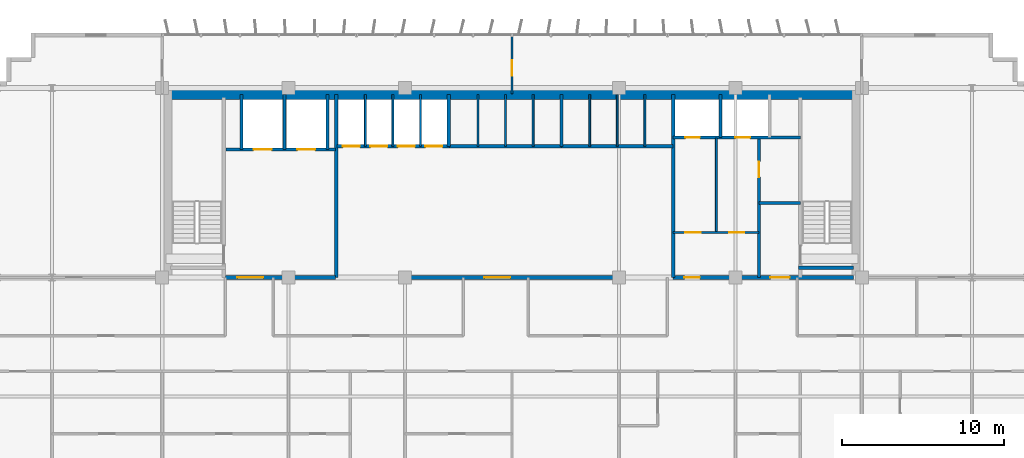
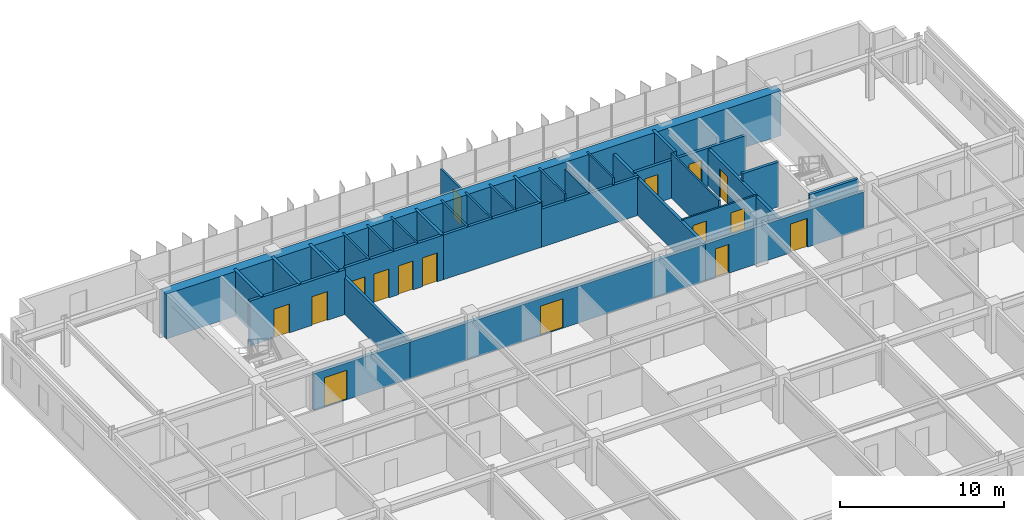
# One storey, part 17 of 21: 32 walls, 16 doors, 16 openings.
"""IFC4 building model written with IfcOpenShell, lengths in metres."""

from ifc_helpers import new_model, si_unit, direction, frame, frame_2d, origin, place, context, subcontext, project, spatial, rectangle, extrude, source, transform, mapped, material, layer, layer_set, type_object, element, fill, save


model = new_model("IFC4")

# Units and contexts
model_context = context("Model", 3, precision=1e-05, world=origin(), true_north=direction((0.0, 1.0)))
body_context = subcontext(model_context, "Body", "Model", "MODEL_VIEW")
ifc_project = project(units=[si_unit("LENGTHUNIT", "METRE"), si_unit("AREAUNIT", "SQUARE_METRE"), si_unit("VOLUMEUNIT", "CUBIC_METRE"), si_unit("PLANEANGLEUNIT", "RADIAN"), si_unit("MASSUNIT", "GRAM", prefix="KILO")], contexts=[model_context])

# Site, building, storey
site_placement = place(None, origin())
site = spatial("IfcSite", under=ifc_project, at=site_placement, CompositionType="ELEMENT")
building_placement = place(site_placement, origin())
building = spatial("IfcBuilding", under=site, at=building_placement, Name="Trelvane Seafront Commons", CompositionType="ELEMENT")
storey_placement = place(building_placement, frame((0.0, 0.0, 110.5)))
storey = spatial("IfcBuildingStorey", under=building, at=storey_placement, Name="L28", CompositionType="ELEMENT", Elevation=110.5)

# Wall, opening, door
ifc_material_1 = material(Name="Concrete C40/50", Category="concrete")
ifc_layer_1 = layer(ifc_material_1, 0.199951171875, Name="ARCH-WALL-FIRE200")
ifc_layer_set_1 = layer_set([ifc_layer_1], Name="Concrete C40/50")
wall_type_1 = type_object("IfcWallType", Name="ARCH-WALL-FIRE200", PredefinedType="PARTITIONING", material=ifc_layer_set_1)
wall_1_placement = place(storey_placement, frame((52.449951171875, 33.39990234375, 0.0), z_axis=(0.0, 0.0, 1.0), x_axis=(0.0, 1.0, 0.0)))
wall_1 = element("IfcWall", 1, at=wall_1_placement, inside=storey, type_object=wall_type_1, Name="W-L28-ST2V-W-033", PredefinedType="PARTITIONING", context=body_context, shape_type="SweptSolid", body=[
    extrude(rectangle(XDim=8.650146484375, YDim=0.199951171875, at=frame_2d((4.3251953125, 0.0))), origin(), (0.0, 0.0, 1.0), 2.751953125),
])
opening_1_placement = place(wall_1_placement, frame((6.199951171875, 0.0, 0.0)))
opening_1 = element("IfcOpeningElement", 2, at=opening_1_placement, cuts=wall_1, Name="Opening FD-L28-13", PredefinedType="OPENING", context=body_context, shape_type="SweptSolid", body=[
    extrude(rectangle(XDim=0.949951171875, YDim=2.14990234375, at=frame_2d((0.47509765625, 1.074951171875))), frame((0.0, 0.10986328125, 0.0), z_axis=(0.0, -1.0, 0.0), x_axis=(1.0, 0.0, 0.0)), (0.0, 0.0, 1.0), 0.219970703125),
])
ifc_material_2 = material(Name="Powder-coated aluminium frame", Category="aluminium")
door_type_1 = type_object("IfcDoorType", Name="ARCH-DR-FD60-950", OperationType="NOTDEFINED", PredefinedType="DOOR", material=ifc_material_2)
shared_shape_1 = source(origin(), body_context, "Body", "SweptSolid", [
    extrude(rectangle(XDim=0.949951171875, YDim=2.14990234375, at=frame_2d((0.47509765625, 1.074951171875))), frame((0.0, 0.02490234375, 0.0), z_axis=(0.0, -1.0, 0.0), x_axis=(1.0, 0.0, 0.0)), (0.0, 0.0, 1.0), 0.050048828125),
])
door_1_placement = place(opening_1_placement, origin())
door_1 = element("IfcDoor", 3, at=door_1_placement, inside=storey, type_object=door_type_1, Name="L28 Cleaner Store Door", OperationType="SINGLE_SWING_LEFT", OverallHeight=2.14990234375, OverallWidth=0.949951171875, PredefinedType="DOOR", context=body_context, shape_type="MappedRepresentation", body=[
    mapped(shared_shape_1, transform((0.0, 0.0, 0.0), x_axis=(1.0, 0.0, 0.0), y_axis=(0.0, 1.0, 0.0), z_axis=(0.0, 0.0, 1.0), scale=1.0)),
])
fill(opening_1, door_1)

# Wall
wall_2_placement = place(storey_placement, frame((52.449951171875, 38.0, 0.0), z_axis=(0.0, 0.0, 1.0), x_axis=(1.0, 0.0, 0.0)))
element("IfcWall", 4, at=wall_2_placement, inside=storey, type_object=wall_type_1, Name="W-L28-ST2V-N-034", PredefinedType="PARTITIONING", context=body_context, shape_type="SweptSolid", body=[
    extrude(rectangle(XDim=2.550048828125, YDim=0.199951171875, at=frame_2d((1.27490234375, 0.0))), origin(), (0.0, 0.0, 1.0), 3.340087890625),
])

# Wall, opening, door
ifc_layer_2 = layer(ifc_material_1, 0.25, Name="ARCH-WALL-FIRE250")
ifc_layer_set_2 = layer_set([ifc_layer_2], Name="Concrete C40/50")
wall_type_2 = type_object("IfcWallType", Name="ARCH-WALL-FIRE250", PredefinedType="PARTITIONING", material=ifc_layer_set_2)
wall_3_placement = place(storey_placement, frame((19.5, 33.39990234375, 0.0), z_axis=(0.0, 0.0, 1.0), x_axis=(1.0, 0.0, 0.0)))
wall_3 = element("IfcWall", 5, at=wall_3_placement, inside=storey, type_object=wall_type_2, Name="W-L28-CS-FFL-013", PredefinedType="PARTITIONING", context=body_context, shape_type="SweptSolid", body=[
    extrude(rectangle(XDim=6.800048828125, YDim=0.25, at=frame_2d((3.39990234375, 0.0))), origin(), (0.0, 0.0, 1.0), 2.751953125),
])
opening_2_placement = place(wall_3_placement, frame((0.75, 0.0, 0.0)))
opening_2 = element("IfcOpeningElement", 6, at=opening_2_placement, cuts=wall_3, Name="Opening FD-L28-05", PredefinedType="OPENING", context=body_context, shape_type="SweptSolid", body=[
    extrude(rectangle(XDim=1.60009765625, YDim=2.199951171875, at=frame_2d((0.800048828125, 1.10009765625))), frame((0.0, 0.135009765625, 0.0), z_axis=(0.0, -1.0, 0.0), x_axis=(1.0, 0.0, 0.0)), (0.0, 0.0, 1.0), 0.27001953125),
])
door_type_2 = type_object("IfcDoorType", Name="ARCH-DR-FD60-1600", OperationType="DOUBLE_DOOR_SINGLE_SWING", PredefinedType="DOOR", material=ifc_material_2)
shared_shape_2 = source(origin(), body_context, "Body", "SweptSolid", [
    extrude(rectangle(XDim=1.60009765625, YDim=2.199951171875, at=frame_2d((0.800048828125, 1.10009765625))), frame((0.0, 0.02490234375, 0.0), z_axis=(0.0, -1.0, 0.0), x_axis=(1.0, 0.0, 0.0)), (0.0, 0.0, 1.0), 0.050048828125),
])
door_2_placement = place(opening_2_placement, origin())
door_2 = element("IfcDoor", 7, at=door_2_placement, inside=storey, type_object=door_type_2, Name="L28 Firefighting Lift Lobby Double Fire Door", OperationType="DOUBLE_DOOR_SINGLE_SWING", OverallHeight=2.199951171875, OverallWidth=1.60009765625, PredefinedType="DOOR", context=body_context, shape_type="MappedRepresentation", body=[
    mapped(shared_shape_2, transform((0.0, 0.0, 0.0), x_axis=(1.0, 0.0, 0.0), y_axis=(0.0, 1.0, 0.0), z_axis=(0.0, 0.0, 1.0), scale=1.0)),
])
fill(opening_2, door_2)

wall_4_placement = place(storey_placement, frame((26.300048828125, 33.39990234375, 0.0), z_axis=(0.0, 0.0, 1.0), x_axis=(1.0, 0.0, 0.0)))
wall_4 = element("IfcWall", 8, at=wall_4_placement, inside=storey, type_object=wall_type_2, Name="W-L28-CS-PAX-029", PredefinedType="PARTITIONING", context=body_context, shape_type="SweptSolid", body=[
    extrude(rectangle(XDim=20.849853515625, YDim=0.25, at=frame_2d((10.4248046875, 0.0))), origin(), (0.0, 0.0, 1.0), 2.751953125),
])
opening_3_placement = place(wall_4_placement, frame((9.199951171875, 0.0, 0.0)))
opening_3 = element("IfcOpeningElement", 9, at=opening_3_placement, cuts=wall_4, Name="Opening FD-L28-10", PredefinedType="OPENING", context=body_context, shape_type="SweptSolid", body=[
    extrude(rectangle(XDim=1.60009765625, YDim=2.199951171875, at=frame_2d((0.800048828125, 1.10009765625))), frame((0.0, 0.135009765625, 0.0), z_axis=(0.0, -1.0, 0.0), x_axis=(1.0, 0.0, 0.0)), (0.0, 0.0, 1.0), 0.27001953125),
])
door_3_placement = place(opening_3_placement, origin())
door_3 = element("IfcDoor", 10, at=door_3_placement, inside=storey, type_object=door_type_2, Name="L28 Passenger Lift Lobby Double Door", OperationType="DOUBLE_DOOR_SINGLE_SWING", OverallHeight=2.199951171875, OverallWidth=1.60009765625, PredefinedType="DOOR", context=body_context, shape_type="MappedRepresentation", body=[
    mapped(shared_shape_2, transform((0.0, 0.0, 0.0), x_axis=(1.0, 0.0, 0.0), y_axis=(0.0, 1.0, 0.0), z_axis=(0.0, 0.0, 1.0), scale=1.0)),
])
fill(opening_3, door_3)

# Wall, openings, doors
wall_5_placement = place(storey_placement, frame((47.14990234375, 33.39990234375, 0.0), z_axis=(0.0, 0.0, 1.0), x_axis=(1.0, 0.0, 0.0)))
wall_5 = element("IfcWall", 11, at=wall_5_placement, inside=storey, type_object=wall_type_2, Name="W-L28-CS-EAST-037", PredefinedType="PARTITIONING", context=body_context, shape_type="SweptSolid", body=[
    extrude(rectangle(XDim=11.150146484375, YDim=0.25, at=frame_2d((5.5751953125, 0.0))), origin(), (0.0, 0.0, 1.0), 2.751953125),
])
opening_4_placement = place(wall_5_placement, frame((0.699951171875, 0.0, 0.0)))
opening_4 = element("IfcOpeningElement", 12, at=opening_4_placement, cuts=wall_5, Name="Opening FD-L28-16", PredefinedType="OPENING", context=body_context, shape_type="SweptSolid", body=[
    extrude(rectangle(XDim=0.949951171875, YDim=2.14990234375, at=frame_2d((0.47509765625, 1.074951171875))), frame((0.0, 0.135009765625, 0.0), z_axis=(0.0, -1.0, 0.0), x_axis=(1.0, 0.0, 0.0)), (0.0, 0.0, 1.0), 0.27001953125),
])
opening_5_placement = place(wall_5_placement, frame((6.0, 0.0, 0.0)))
opening_5 = element("IfcOpeningElement", 13, at=opening_5_placement, cuts=wall_5, Name="Opening FD-L28-17", PredefinedType="OPENING", context=body_context, shape_type="SweptSolid", body=[
    extrude(rectangle(XDim=1.199951171875, YDim=2.14990234375, at=frame_2d((0.60009765625, 1.074951171875))), frame((0.0, 0.135009765625, 0.0), z_axis=(0.0, -1.0, 0.0), x_axis=(1.0, 0.0, 0.0)), (0.0, 0.0, 1.0), 0.27001953125),
])
door_4_placement = place(opening_4_placement, origin())
door_4 = element("IfcDoor", 14, at=door_4_placement, inside=storey, type_object=door_type_1, Name="L28 Core Service Lobby Door", OperationType="SINGLE_SWING_RIGHT", OverallHeight=2.14990234375, OverallWidth=0.949951171875, PredefinedType="DOOR", context=body_context, shape_type="MappedRepresentation", body=[
    mapped(shared_shape_1, transform((0.0, 0.0, 0.0), x_axis=(1.0, 0.0, 0.0), y_axis=(0.0, 1.0, 0.0), z_axis=(0.0, 0.0, 1.0), scale=1.0)),
])
fill(opening_4, door_4)
door_type_3 = type_object("IfcDoorType", Name="ARCH-DR-FD60-1200", OperationType="NOTDEFINED", PredefinedType="DOOR", material=ifc_material_2)
shared_shape_3 = source(origin(), body_context, "Body", "SweptSolid", [
    extrude(rectangle(XDim=1.199951171875, YDim=2.14990234375, at=frame_2d((0.60009765625, 1.074951171875))), frame((0.0, 0.02490234375, 0.0), z_axis=(0.0, -1.0, 0.0), x_axis=(1.0, 0.0, 0.0)), (0.0, 0.0, 1.0), 0.050048828125),
])
door_5_placement = place(opening_5_placement, origin())
door_5 = element("IfcDoor", 15, at=door_5_placement, inside=storey, type_object=door_type_3, Name="L28 East Stair Vestibule Fire Door", OperationType="SINGLE_SWING_LEFT", OverallHeight=2.14990234375, OverallWidth=1.199951171875, PredefinedType="DOOR", context=body_context, shape_type="MappedRepresentation", body=[
    mapped(shared_shape_3, transform((0.0, 0.0, 0.0), x_axis=(1.0, 0.0, 0.0), y_axis=(0.0, 1.0, 0.0), z_axis=(0.0, 0.0, 1.0), scale=1.0)),
])
fill(opening_5, door_5)

# Walls
ifc_material_3 = material(Name="Gypsum Drywall Acoustic Partition")
ifc_layer_3 = layer(ifc_material_3, 0.1201171875, Name="ARCH-WALL-PART120")
ifc_layer_set_3 = layer_set([ifc_layer_3], Name="Gypsum Drywall Acoustic Partition")
wall_type_3 = type_object("IfcWallType", Name="ARCH-WALL-PART120", PredefinedType="PARTITIONING", material=ifc_layer_set_3)
for number, where, z_axis, x_axis, name in (
    (16, (28.14990234375, 41.5, 0.0), (0.0, 0.0, 1.0), (0.0, 1.0, 0.0), "W-L28-PL-DIV1-016"),
    (17, (29.85009765625, 41.5, 0.0), (0.0, 0.0, 1.0), (0.0, 1.0, 0.0), "W-L28-PL-DIV2-017"),
    (18, (31.550048828125, 41.5, 0.0), (0.0, 0.0, 1.0), (0.0, 1.0, 0.0), "W-L28-PL-DIV3-018"),
    (19, (35.10009765625, 41.5, 0.0), (0.0, 0.0, 1.0), (0.0, 1.0, 0.0), "W-L28-PM-DIV1-020"),
    (20, (36.800048828125, 41.5, 0.0), (0.0, 0.0, 1.0), (0.0, 1.0, 0.0), "W-L28-PM-DIV2-021"),
    (21, (38.5, 41.5, 0.0), (0.0, 0.0, 1.0), (0.0, 1.0, 0.0), "W-L28-PM-DIV3-022"),
    (22, (42.0, 41.5, 0.0), (0.0, 0.0, 1.0), (0.0, 1.0, 0.0), "W-L28-PH-DIV1-025"),
):
    element("IfcWall", number, at=place(storey_placement, frame(where, z_axis=z_axis, x_axis=x_axis)), inside=storey, type_object=wall_type_3, Name=name, PredefinedType="PARTITIONING", context=body_context, shape_type="SweptSolid", body=[
        extrude(rectangle(XDim=3.199951171875, YDim=0.1201171875, at=frame_2d((1.60009765625, 0.0))), origin(), (0.0, 0.0, 1.0), 3.340087890625),
    ])
wall_6_placement = place(storey_placement, frame((43.699951171875, 41.5, 0.0), z_axis=(0.0, 0.0, 1.0), x_axis=(0.0, 1.0, 0.0)))
element("IfcWall", 23, at=wall_6_placement, inside=storey, type_object=wall_type_3, Name="W-L28-PH-DIV2-026", PredefinedType="PARTITIONING", context=body_context, shape_type="SweptSolid", body=[
    extrude(rectangle(XDim=3.199951171875, YDim=0.1201171875, at=frame_2d((1.60009765625, 0.0))), origin(), (0.0, 0.0, 1.0), 2.840087890625),
])
wall_7_placement = place(storey_placement, frame((45.39990234375, 41.5, 0.0), z_axis=(0.0, 0.0, 1.0), x_axis=(0.0, 1.0, 0.0)))
element("IfcWall", 24, at=wall_7_placement, inside=storey, type_object=wall_type_3, Name="W-L28-PH-DIV3-027", PredefinedType="PARTITIONING", context=body_context, shape_type="SweptSolid", body=[
    extrude(rectangle(XDim=3.199951171875, YDim=0.1201171875, at=frame_2d((1.60009765625, 0.0))), origin(), (0.0, 0.0, 1.0), 3.340087890625),
])

# Wall, openings, doors
wall_8_placement = place(storey_placement, frame((47.14990234375, 36.179931640625, 0.0), z_axis=(0.0, 0.0, 1.0), x_axis=(1.0, 0.0, 0.0)))
wall_8 = element("IfcWall", 25, at=wall_8_placement, inside=storey, type_object=wall_type_3, Name="W-L28-CYC1-H-035", PredefinedType="PARTITIONING", context=body_context, shape_type="SweptSolid", body=[
    extrude(rectangle(XDim=5.300048828125, YDim=0.1201171875, at=frame_2d((2.64990234375, 0.0))), origin(), (0.0, 0.0, 1.0), 2.840087890625),
])
opening_6_placement = place(wall_8_placement, frame((0.75, 0.0, 0.0)))
opening_6 = element("IfcOpeningElement", 26, at=opening_6_placement, cuts=wall_8, Name="Opening D-L28-14", PredefinedType="OPENING", context=body_context, shape_type="SweptSolid", body=[
    extrude(rectangle(XDim=0.949951171875, YDim=2.14990234375, at=frame_2d((0.47509765625, 1.074951171875))), frame((0.0, 0.070068359375, 0.0), z_axis=(0.0, -1.0, 0.0), x_axis=(1.0, 0.0, 0.0)), (0.0, 0.0, 1.0), 0.14013671875),
])
opening_7_placement = place(wall_8_placement, frame((3.449951171875, 0.0, 0.0)))
opening_7 = element("IfcOpeningElement", 27, at=opening_7_placement, cuts=wall_8, Name="Opening D-L28-15", PredefinedType="OPENING", context=body_context, shape_type="SweptSolid", body=[
    extrude(rectangle(XDim=0.949951171875, YDim=2.14990234375, at=frame_2d((0.47509765625, 1.074951171875))), frame((0.0, 0.070068359375, 0.0), z_axis=(0.0, -1.0, 0.0), x_axis=(1.0, 0.0, 0.0)), (0.0, 0.0, 1.0), 0.14013671875),
])
ifc_material_4 = material(Name="Acoustic timber door leaf", Category="wood")
door_type_4 = type_object("IfcDoorType", Name="ARCH-DR-INT950", OperationType="NOTDEFINED", PredefinedType="DOOR", material=ifc_material_4)
door_6_placement = place(opening_6_placement, origin())
door_6 = element("IfcDoor", 28, at=door_6_placement, inside=storey, type_object=door_type_4, Name="L28 Accessible WC Door", OperationType="SINGLE_SWING_RIGHT", OverallHeight=2.14990234375, OverallWidth=0.949951171875, PredefinedType="DOOR", context=body_context, shape_type="MappedRepresentation", body=[
    mapped(shared_shape_1, transform((0.0, 0.0, 0.0), x_axis=(1.0, 0.0, 0.0), y_axis=(0.0, 1.0, 0.0), z_axis=(0.0, 0.0, 1.0), scale=1.0)),
])
fill(opening_6, door_6)
door_7_placement = place(opening_7_placement, origin())
door_7 = element("IfcDoor", 29, at=door_7_placement, inside=storey, type_object=door_type_4, Name="L28 BMS Room Door", OperationType="SINGLE_SWING_LEFT", OverallHeight=2.14990234375, OverallWidth=0.949951171875, PredefinedType="DOOR", context=body_context, shape_type="MappedRepresentation", body=[
    mapped(shared_shape_1, transform((0.0, 0.0, 0.0), x_axis=(1.0, 0.0, 0.0), y_axis=(0.0, 1.0, 0.0), z_axis=(0.0, 0.0, 1.0), scale=1.0)),
])
fill(opening_7, door_7)

# Wall
wall_9_placement = place(storey_placement, frame((49.820068359375, 36.179931640625, 0.0), z_axis=(0.0, 0.0, 1.0), x_axis=(0.0, 1.0, 0.0)))
element("IfcWall", 30, at=wall_9_placement, inside=storey, type_object=wall_type_3, Name="W-L28-CYC1-V-036", PredefinedType="PARTITIONING", context=body_context, shape_type="SweptSolid", body=[
    extrude(rectangle(XDim=5.820068359375, YDim=0.1201171875, at=frame_2d((2.91015625, 0.0))), origin(), (0.0, 0.0, 1.0), 3.340087890625),
])

# Wall, opening, door
wall_10_placement = place(storey_placement, frame((37.199951171875, 44.75, 0.0), z_axis=(0.0, 0.0, 1.0), x_axis=(0.0, 1.0, 0.0)))
wall_10 = element("IfcWall", 31, at=wall_10_placement, inside=storey, type_object=wall_type_3, Name="W-L28-N-MID-DV-051", PredefinedType="PARTITIONING", context=body_context, shape_type="SweptSolid", body=[
    extrude(rectangle(XDim=3.610107421875, YDim=0.1201171875, at=frame_2d((1.80517578125, 0.0))), origin(), (0.0, 0.0, 1.0), 2.751953125),
])
opening_8_placement = place(wall_10_placement, frame((1.10009765625, 0.0, 0.0)))
opening_8 = element("IfcOpeningElement", 32, at=opening_8_placement, cuts=wall_10, Name="Opening D-L28-25", PredefinedType="OPENING", context=body_context, shape_type="SweptSolid", body=[
    extrude(rectangle(XDim=0.949951171875, YDim=2.14990234375, at=frame_2d((0.47509765625, 1.074951171875))), frame((0.0, 0.070068359375, 0.0), z_axis=(0.0, -1.0, 0.0), x_axis=(1.0, 0.0, 0.0)), (0.0, 0.0, 1.0), 0.14013671875),
])
door_8_placement = place(opening_8_placement, origin())
door_8 = element("IfcDoor", 33, at=door_8_placement, inside=storey, type_object=door_type_4, Name="L28 Door 25", OperationType="SINGLE_SWING_LEFT", OverallHeight=2.14990234375, OverallWidth=0.949951171875, PredefinedType="DOOR", context=body_context, shape_type="MappedRepresentation", body=[
    mapped(shared_shape_1, transform((0.0, 0.0, 0.0), x_axis=(1.0, 0.0, 0.0), y_axis=(0.0, 1.0, 0.0), z_axis=(0.0, 0.0, 1.0), scale=1.0)),
])
fill(opening_8, door_8)

# Wall, openings, doors
ifc_layer_4 = layer(ifc_material_1, 0.199951171875, Name="ARCH-WALL-SHAFT200")
ifc_layer_set_4 = layer_set([ifc_layer_4], Name="Concrete C40/50")
wall_type_4 = type_object("IfcWallType", Name="ARCH-WALL-SHAFT200", PredefinedType="SOLIDWALL", material=ifc_layer_set_4)
wall_11_placement = place(storey_placement, frame((19.550048828125, 41.300048828125, 0.0), z_axis=(0.0, 0.0, 1.0), x_axis=(1.0, 0.0, 0.0)))
wall_11 = element("IfcWall", 34, at=wall_11_placement, inside=storey, type_object=wall_type_4, Name="W-L28-FFL-FRONT-008", PredefinedType="SOLIDWALL", context=body_context, shape_type="SweptSolid", body=[
    extrude(rectangle(XDim=6.75, YDim=0.199951171875, at=frame_2d((3.375, 0.0))), origin(), (0.0, 0.0, 1.0), 3.340087890625),
])
opening_9_placement = place(wall_11_placement, frame((1.699951171875, 0.0, 0.0)))
opening_9 = element("IfcOpeningElement", 35, at=opening_9_placement, cuts=wall_11, Name="Opening LD-FF1-L28", PredefinedType="OPENING", context=body_context, shape_type="SweptSolid", body=[
    extrude(rectangle(XDim=1.10009765625, YDim=2.14990234375, at=frame_2d((0.550048828125, 1.074951171875))), frame((0.0, 0.10986328125, 0.0), z_axis=(0.0, -1.0, 0.0), x_axis=(1.0, 0.0, 0.0)), (0.0, 0.0, 1.0), 0.219970703125),
])
opening_10_placement = place(wall_11_placement, frame((4.39990234375, 0.0, 0.0)))
opening_10 = element("IfcOpeningElement", 36, at=opening_10_placement, cuts=wall_11, Name="Opening LD-FF2-L28", PredefinedType="OPENING", context=body_context, shape_type="SweptSolid", body=[
    extrude(rectangle(XDim=1.10009765625, YDim=2.14990234375, at=frame_2d((0.550048828125, 1.074951171875))), frame((0.0, 0.10986328125, 0.0), z_axis=(0.0, -1.0, 0.0), x_axis=(1.0, 0.0, 0.0)), (0.0, 0.0, 1.0), 0.219970703125),
])
ifc_material_5 = material(Name="Stainless steel balustrade", Category="steel")
door_type_5 = type_object("IfcDoorType", Name="ARCH-DR-LD1100", OperationType="DOUBLE_DOOR_SLIDING", PredefinedType="DOOR", material=ifc_material_5)
shared_shape_4 = source(origin(), body_context, "Body", "SweptSolid", [
    extrude(rectangle(XDim=1.10009765625, YDim=2.14990234375, at=frame_2d((0.550048828125, 1.074951171875))), frame((0.0, 0.02490234375, 0.0), z_axis=(0.0, -1.0, 0.0), x_axis=(1.0, 0.0, 0.0)), (0.0, 0.0, 1.0), 0.050048828125),
])
door_9_placement = place(opening_9_placement, origin())
door_9 = element("IfcDoor", 37, at=door_9_placement, inside=storey, type_object=door_type_5, Name="L28 Firefighting Lift FFL-1 Landing Door", OperationType="DOUBLE_DOOR_SLIDING", OverallHeight=2.14990234375, OverallWidth=1.10009765625, PredefinedType="DOOR", context=body_context, shape_type="MappedRepresentation", body=[
    mapped(shared_shape_4, transform((0.0, 0.0, 0.0), x_axis=(1.0, 0.0, 0.0), y_axis=(0.0, 1.0, 0.0), z_axis=(0.0, 0.0, 1.0), scale=1.0)),
])
fill(opening_9, door_9)
door_10_placement = place(opening_10_placement, origin())
door_10 = element("IfcDoor", 38, at=door_10_placement, inside=storey, type_object=door_type_5, Name="L28 Firefighting Lift FFL-2 Landing Door", OperationType="DOUBLE_DOOR_SLIDING", OverallHeight=2.14990234375, OverallWidth=1.10009765625, PredefinedType="DOOR", context=body_context, shape_type="MappedRepresentation", body=[
    mapped(shared_shape_4, transform((0.0, 0.0, 0.0), x_axis=(1.0, 0.0, 0.0), y_axis=(0.0, 1.0, 0.0), z_axis=(0.0, 0.0, 1.0), scale=1.0)),
])
fill(opening_10, door_10)

# Walls
for number, where, z_axis, x_axis, name in (
    (39, (20.5, 41.300048828125, 0.0), (0.0, 0.0, 1.0), (0.0, 1.0, 0.0), "W-L28-FFL-SH-W-009"),
    (40, (23.14990234375, 41.300048828125, 0.0), (0.0, 0.0, 1.0), (0.0, 1.0, 0.0), "W-L28-FFL-DIV-010"),
    (41, (25.800048828125, 41.300048828125, 0.0), (0.0, 0.0, 1.0), (0.0, 1.0, 0.0), "W-L28-FFL-SH-E-011"),
):
    element("IfcWall", number, at=place(storey_placement, frame(where, z_axis=z_axis, x_axis=x_axis)), inside=storey, type_object=wall_type_4, Name=name, PredefinedType="SOLIDWALL", context=body_context, shape_type="SweptSolid", body=[
        extrude(rectangle(XDim=3.39990234375, YDim=0.199951171875, at=frame_2d((1.699951171875, 0.0))), origin(), (0.0, 0.0, 1.0), 3.340087890625),
    ])
wall_12_placement = place(storey_placement, frame((26.35009765625, 33.39990234375, 0.0), z_axis=(0.0, 0.0, 1.0), x_axis=(0.0, 1.0, 0.0)))
element("IfcWall", 42, at=wall_12_placement, inside=storey, type_object=wall_type_4, Name="W-L28-FFL-EAST-012", PredefinedType="SOLIDWALL", context=body_context, shape_type="SweptSolid", body=[
    extrude(rectangle(XDim=11.300048828125, YDim=0.199951171875, at=frame_2d((5.64990234375, 0.0))), origin(), (0.0, 0.0, 1.0), 2.751953125),
])

# Wall, openings, doors
wall_13_placement = place(storey_placement, frame((26.39990234375, 41.5, 0.0), z_axis=(0.0, 0.0, 1.0), x_axis=(1.0, 0.0, 0.0)))
wall_13 = element("IfcWall", 43, at=wall_13_placement, inside=storey, type_object=wall_type_4, Name="W-L28-PL-FRONT-014", PredefinedType="SOLIDWALL", context=body_context, shape_type="SweptSolid", body=[
    extrude(rectangle(XDim=6.9501953125, YDim=0.199951171875, at=frame_2d((3.47509765625, 0.0))), origin(), (0.0, 0.0, 1.0), 3.340087890625),
])
opening_11_placement = place(wall_13_placement, frame((0.35009765625, 0.0, 0.0)))
opening_11 = element("IfcOpeningElement", 44, at=opening_11_placement, cuts=wall_13, Name="Opening LD-PL1-L28", PredefinedType="OPENING", context=body_context, shape_type="SweptSolid", body=[
    extrude(rectangle(XDim=1.050048828125, YDim=2.14990234375, at=frame_2d((0.52490234375, 1.074951171875))), frame((0.0, 0.10986328125, 0.0), z_axis=(0.0, -1.0, 0.0), x_axis=(1.0, 0.0, 0.0)), (0.0, 0.0, 1.0), 0.219970703125),
])
opening_12_placement = place(wall_13_placement, frame((2.050048828125, 0.0, 0.0)))
opening_12 = element("IfcOpeningElement", 45, at=opening_12_placement, cuts=wall_13, Name="Opening LD-PL2-L28", PredefinedType="OPENING", context=body_context, shape_type="SweptSolid", body=[
    extrude(rectangle(XDim=1.050048828125, YDim=2.14990234375, at=frame_2d((0.52490234375, 1.074951171875))), frame((0.0, 0.10986328125, 0.0), z_axis=(0.0, -1.0, 0.0), x_axis=(1.0, 0.0, 0.0)), (0.0, 0.0, 1.0), 0.219970703125),
])
opening_13_placement = place(wall_13_placement, frame((3.75, 0.0, 0.0)))
opening_13 = element("IfcOpeningElement", 46, at=opening_13_placement, cuts=wall_13, Name="Opening LD-PL3-L28", PredefinedType="OPENING", context=body_context, shape_type="SweptSolid", body=[
    extrude(rectangle(XDim=1.050048828125, YDim=2.14990234375, at=frame_2d((0.52490234375, 1.074951171875))), frame((0.0, 0.10986328125, 0.0), z_axis=(0.0, -1.0, 0.0), x_axis=(1.0, 0.0, 0.0)), (0.0, 0.0, 1.0), 0.219970703125),
])
opening_14_placement = place(wall_13_placement, frame((5.449951171875, 0.0, 0.0)))
opening_14 = element("IfcOpeningElement", 47, at=opening_14_placement, cuts=wall_13, Name="Opening LD-PL4-L28", PredefinedType="OPENING", context=body_context, shape_type="SweptSolid", body=[
    extrude(rectangle(XDim=1.050048828125, YDim=2.14990234375, at=frame_2d((0.52490234375, 1.074951171875))), frame((0.0, 0.10986328125, 0.0), z_axis=(0.0, -1.0, 0.0), x_axis=(1.0, 0.0, 0.0)), (0.0, 0.0, 1.0), 0.219970703125),
])
door_type_6 = type_object("IfcDoorType", Name="ARCH-DR-LD1050", OperationType="DOUBLE_DOOR_SLIDING", PredefinedType="DOOR", material=ifc_material_5)
shared_shape_5 = source(origin(), body_context, "Body", "SweptSolid", [
    extrude(rectangle(XDim=1.050048828125, YDim=2.14990234375, at=frame_2d((0.52490234375, 1.074951171875))), frame((0.0, 0.02490234375, 0.0), z_axis=(0.0, -1.0, 0.0), x_axis=(1.0, 0.0, 0.0)), (0.0, 0.0, 1.0), 0.050048828125),
])
door_11_placement = place(opening_11_placement, origin())
door_11 = element("IfcDoor", 48, at=door_11_placement, inside=storey, type_object=door_type_6, Name="L28 Passenger Lift PL-1 Landing Door", OperationType="DOUBLE_DOOR_SLIDING", OverallHeight=2.14990234375, OverallWidth=1.050048828125, PredefinedType="DOOR", context=body_context, shape_type="MappedRepresentation", body=[
    mapped(shared_shape_5, transform((0.0, 0.0, 0.0), x_axis=(1.0, 0.0, 0.0), y_axis=(0.0, 1.0, 0.0), z_axis=(0.0, 0.0, 1.0), scale=1.0)),
])
fill(opening_11, door_11)
door_12_placement = place(opening_12_placement, origin())
door_12 = element("IfcDoor", 49, at=door_12_placement, inside=storey, type_object=door_type_6, Name="L28 Passenger Lift PL-2 Landing Door", OperationType="DOUBLE_DOOR_SLIDING", OverallHeight=2.14990234375, OverallWidth=1.050048828125, PredefinedType="DOOR", context=body_context, shape_type="MappedRepresentation", body=[
    mapped(shared_shape_5, transform((0.0, 0.0, 0.0), x_axis=(1.0, 0.0, 0.0), y_axis=(0.0, 1.0, 0.0), z_axis=(0.0, 0.0, 1.0), scale=1.0)),
])
fill(opening_12, door_12)
door_13_placement = place(opening_13_placement, origin())
door_13 = element("IfcDoor", 50, at=door_13_placement, inside=storey, type_object=door_type_6, Name="L28 Passenger Lift PL-3 Landing Door", OperationType="DOUBLE_DOOR_SLIDING", OverallHeight=2.14990234375, OverallWidth=1.050048828125, PredefinedType="DOOR", context=body_context, shape_type="MappedRepresentation", body=[
    mapped(shared_shape_5, transform((0.0, 0.0, 0.0), x_axis=(1.0, 0.0, 0.0), y_axis=(0.0, 1.0, 0.0), z_axis=(0.0, 0.0, 1.0), scale=1.0)),
])
fill(opening_13, door_13)
door_14_placement = place(opening_14_placement, origin())
door_14 = element("IfcDoor", 51, at=door_14_placement, inside=storey, type_object=door_type_6, Name="L28 Passenger Lift PL-4 Landing Door", OperationType="DOUBLE_DOOR_SLIDING", OverallHeight=2.14990234375, OverallWidth=1.050048828125, PredefinedType="DOOR", context=body_context, shape_type="MappedRepresentation", body=[
    mapped(shared_shape_5, transform((0.0, 0.0, 0.0), x_axis=(1.0, 0.0, 0.0), y_axis=(0.0, 1.0, 0.0), z_axis=(0.0, 0.0, 1.0), scale=1.0)),
])
fill(opening_14, door_14)

# Walls
wall_14_placement = place(storey_placement, frame((33.300048828125, 41.5, 0.0), z_axis=(0.0, 0.0, 1.0), x_axis=(0.0, 1.0, 0.0)))
element("IfcWall", 52, at=wall_14_placement, inside=storey, type_object=wall_type_4, Name="W-L28-PL-EAST-SH-015", PredefinedType="SOLIDWALL", context=body_context, shape_type="SweptSolid", body=[
    extrude(rectangle(XDim=3.199951171875, YDim=0.199951171875, at=frame_2d((1.60009765625, 0.0))), origin(), (0.0, 0.0, 1.0), 3.340087890625),
])
wall_15_placement = place(storey_placement, frame((33.35009765625, 41.5, 0.0), z_axis=(0.0, 0.0, 1.0), x_axis=(1.0, 0.0, 0.0)))
element("IfcWall", 53, at=wall_15_placement, inside=storey, type_object=wall_type_4, Name="W-L28-PM-FRONT-019", PredefinedType="SOLIDWALL", context=body_context, shape_type="SweptSolid", body=[
    extrude(rectangle(XDim=6.89990234375, YDim=0.199951171875, at=frame_2d((3.449951171875, 0.0))), origin(), (0.0, 0.0, 1.0), 3.340087890625),
])
wall_16_placement = place(storey_placement, frame((40.25, 41.5, 0.0), z_axis=(0.0, 0.0, 1.0), x_axis=(1.0, 0.0, 0.0)))
element("IfcWall", 54, at=wall_16_placement, inside=storey, type_object=wall_type_4, Name="W-L28-PH-FRONT-023", PredefinedType="SOLIDWALL", context=body_context, shape_type="SweptSolid", body=[
    extrude(rectangle(XDim=6.89990234375, YDim=0.199951171875, at=frame_2d((3.449951171875, 0.0))), origin(), (0.0, 0.0, 1.0), 2.840087890625),
])
wall_17_placement = place(storey_placement, frame((40.25, 41.5, 0.0), z_axis=(0.0, 0.0, 1.0), x_axis=(0.0, 1.0, 0.0)))
element("IfcWall", 55, at=wall_17_placement, inside=storey, type_object=wall_type_4, Name="W-L28-PH-WEST-SH-024", PredefinedType="SOLIDWALL", context=body_context, shape_type="SweptSolid", body=[
    extrude(rectangle(XDim=3.199951171875, YDim=0.199951171875, at=frame_2d((1.60009765625, 0.0))), origin(), (0.0, 0.0, 1.0), 3.340087890625),
])
wall_18_placement = place(storey_placement, frame((47.14990234375, 33.39990234375, 0.0), z_axis=(0.0, 0.0, 1.0), x_axis=(0.0, 1.0, 0.0)))
element("IfcWall", 56, at=wall_18_placement, inside=storey, type_object=wall_type_4, Name="W-L28-PH-EAST-028", PredefinedType="SOLIDWALL", context=body_context, shape_type="SweptSolid", body=[
    extrude(rectangle(XDim=11.300048828125, YDim=0.199951171875, at=frame_2d((5.64990234375, 0.0))), origin(), (0.0, 0.0, 1.0), 2.751953125),
])

# Wall, openings, doors
wall_19_placement = place(storey_placement, frame((47.14990234375, 42.050048828125, 0.0), z_axis=(0.0, 0.0, 1.0), x_axis=(1.0, 0.0, 0.0)))
wall_19 = element("IfcWall", 57, at=wall_19_placement, inside=storey, type_object=wall_type_4, Name="W-L28-RSR-S-030", PredefinedType="SOLIDWALL", context=body_context, shape_type="SweptSolid", body=[
    extrude(rectangle(XDim=7.85009765625, YDim=0.199951171875, at=frame_2d((3.925048828125, 0.0))), origin(), (0.0, 0.0, 1.0), 2.840087890625),
])
opening_15_placement = place(wall_19_placement, frame((0.75, 0.0, 0.0)))
opening_15 = element("IfcOpeningElement", 58, at=opening_15_placement, cuts=wall_19, Name="Opening FD-L28-11", PredefinedType="OPENING", context=body_context, shape_type="SweptSolid", body=[
    extrude(rectangle(XDim=0.89990234375, YDim=2.10009765625, at=frame_2d((0.449951171875, 1.050048828125))), frame((0.0, 0.10986328125, 0.0), z_axis=(0.0, -1.0, 0.0), x_axis=(1.0, 0.0, 0.0)), (0.0, 0.0, 1.0), 0.219970703125),
])
opening_16_placement = place(wall_19_placement, frame((3.85009765625, 0.0, 0.0)))
opening_16 = element("IfcOpeningElement", 59, at=opening_16_placement, cuts=wall_19, Name="Opening FD-L28-12", PredefinedType="OPENING", context=body_context, shape_type="SweptSolid", body=[
    extrude(rectangle(XDim=0.89990234375, YDim=2.10009765625, at=frame_2d((0.449951171875, 1.050048828125))), frame((0.0, 0.10986328125, 0.0), z_axis=(0.0, -1.0, 0.0), x_axis=(1.0, 0.0, 0.0)), (0.0, 0.0, 1.0), 0.219970703125),
])
door_type_7 = type_object("IfcDoorType", Name="ARCH-DR-FD60-900", OperationType="NOTDEFINED", PredefinedType="DOOR", material=ifc_material_2)
shared_shape_6 = source(origin(), body_context, "Body", "SweptSolid", [
    extrude(rectangle(XDim=0.89990234375, YDim=2.10009765625, at=frame_2d((0.449951171875, 1.050048828125))), frame((0.0, 0.02490234375, 0.0), z_axis=(0.0, -1.0, 0.0), x_axis=(1.0, 0.0, 0.0)), (0.0, 0.0, 1.0), 0.050048828125),
])
door_15_placement = place(opening_15_placement, origin())
door_15 = element("IfcDoor", 60, at=door_15_placement, inside=storey, type_object=door_type_7, Name="L28 Electrical Riser Access Door", OperationType="SINGLE_SWING_LEFT", OverallHeight=2.10009765625, OverallWidth=0.89990234375, PredefinedType="DOOR", context=body_context, shape_type="MappedRepresentation", body=[
    mapped(shared_shape_6, transform((0.0, 0.0, 0.0), x_axis=(1.0, 0.0, 0.0), y_axis=(0.0, 1.0, 0.0), z_axis=(0.0, 0.0, 1.0), scale=1.0)),
])
fill(opening_15, door_15)
door_16_placement = place(opening_16_placement, origin())
door_16 = element("IfcDoor", 61, at=door_16_placement, inside=storey, type_object=door_type_7, Name="L28 Mechanical Riser Access Door", OperationType="SINGLE_SWING_RIGHT", OverallHeight=2.10009765625, OverallWidth=0.89990234375, PredefinedType="DOOR", context=body_context, shape_type="MappedRepresentation", body=[
    mapped(shared_shape_6, transform((0.0, 0.0, 0.0), x_axis=(1.0, 0.0, 0.0), y_axis=(0.0, 1.0, 0.0), z_axis=(0.0, 0.0, 1.0), scale=1.0)),
])
fill(opening_16, door_16)

# Walls
wall_20_placement = place(storey_placement, frame((50.080078125, 42.050048828125, 0.0), z_axis=(0.0, 0.0, 1.0), x_axis=(0.0, 1.0, 0.0)))
element("IfcWall", 62, at=wall_20_placement, inside=storey, type_object=wall_type_4, Name="W-L28-RSR-DIV-031", PredefinedType="SOLIDWALL", context=body_context, shape_type="SweptSolid", body=[
    extrude(rectangle(XDim=2.64990234375, YDim=0.199951171875, at=frame_2d((1.324951171875, 0.0))), origin(), (0.0, 0.0, 1.0), 3.340087890625),
])
ifc_material_6 = material(Name="Concrete C60/75", Category="concrete")
ifc_layer_5 = layer(ifc_material_6, 0.699951171875, Name="STR-WALL-CORE700")
ifc_layer_set_5 = layer_set([ifc_layer_5], Name="Concrete C60/75")
wall_type_5 = type_object("IfcWallType", Name="STR-WALL-CORE700", PredefinedType="SHEAR", material=ifc_layer_set_5)
wall_21_placement = place(storey_placement, frame((15.5, 44.75, 0.0), z_axis=(0.0, 0.0, 1.0), x_axis=(1.0, 0.0, 0.0)))
element("IfcWall", 63, at=wall_21_placement, inside=storey, type_object=wall_type_5, Name="W-L28-CN-ALL-001", PredefinedType="SHEAR", context=body_context, shape_type="SweptSolid", body=[
    extrude(rectangle(XDim=43.39990234375, YDim=0.699951171875, at=frame_2d((21.699951171875, 0.0))), origin(), (0.0, 0.0, 1.0), 3.340087890625),
])
ifc_material_7 = material(Name="Concrete C50/60", Category="concrete")
ifc_layer_6 = layer(ifc_material_7, 0.199951171875, Name="STR-WALL-STAIR200")
ifc_layer_set_6 = layer_set([ifc_layer_6], Name="Concrete C50/60")
wall_type_6 = type_object("IfcWallType", Name="STR-WALL-STAIR200", PredefinedType="SHEAR", material=ifc_layer_set_6)
wall_22_placement = place(storey_placement, frame((54.89990234375, 34.0, 0.0), z_axis=(0.0, 0.0, 1.0), x_axis=(1.0, 0.0, 0.0)))
element("IfcWall", 64, at=wall_22_placement, inside=storey, type_object=wall_type_6, Name="W-L28-ST2-S-006", PredefinedType="SHEAR", context=body_context, shape_type="SweptSolid", body=[
    extrude(rectangle(XDim=3.400146484375, YDim=0.199951171875, at=frame_2d((1.7001953125, 0.0))), origin(), (0.0, 0.0, 1.0), 3.340087890625),
])

save(model, "model.ifc")
